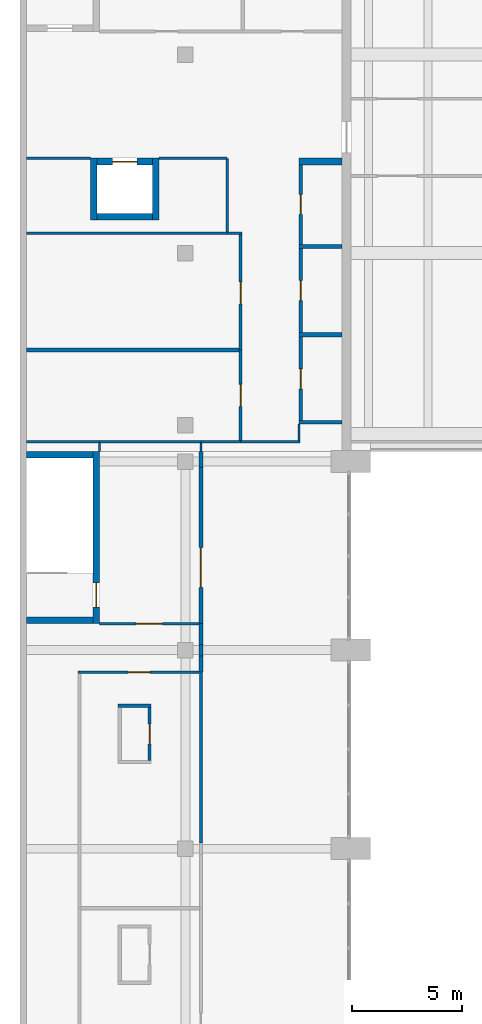
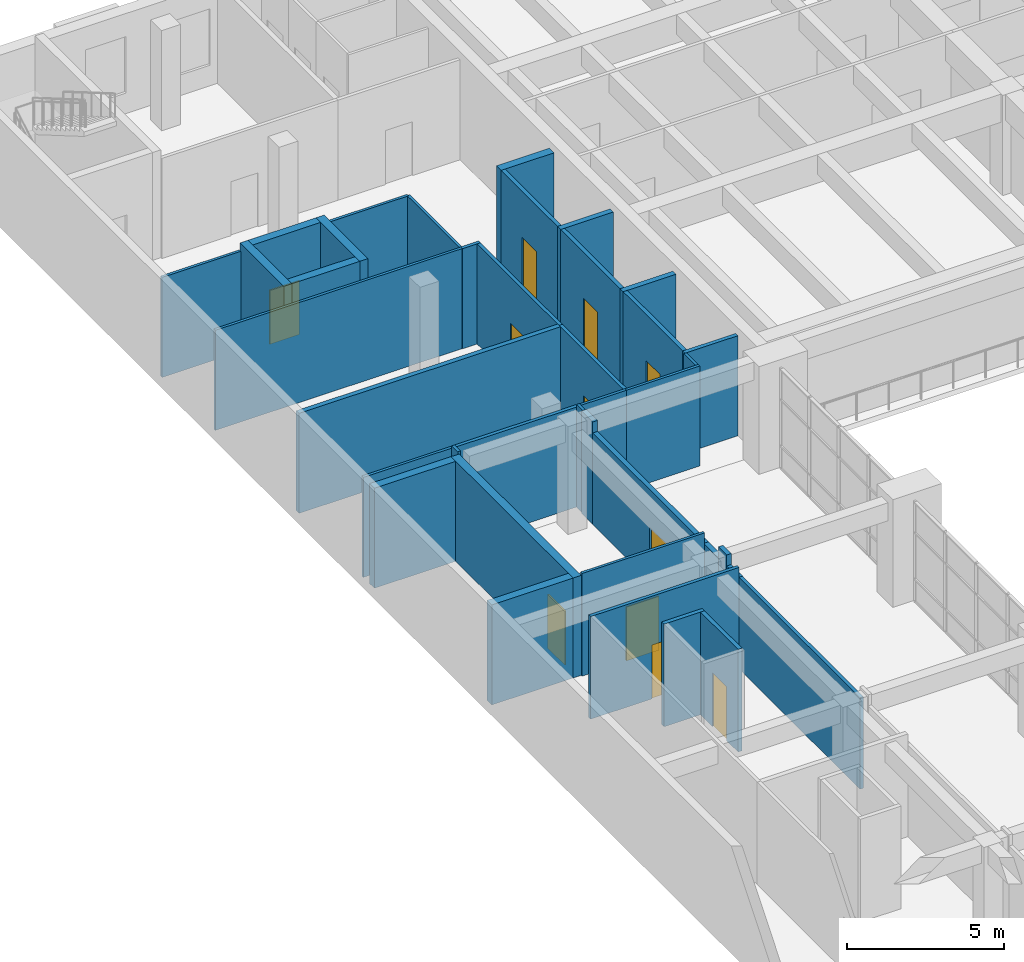
# One storey, part 31 of 45: 39 walls, 11 doors, 11 openings.
"""IFC4 building model written with IfcOpenShell, lengths in metres."""

from ifc_helpers import new_model, si_unit, direction, frame, frame_2d, origin, place, context, subcontext, project, spatial, rectangle, extrude, material, layer, layer_set, type_object, element, fill, save


model = new_model("IFC4")

# Units and contexts
model_context = context("Model", 3, precision=1e-05, world=origin(), true_north=direction((0.0, 1.0)))
body_context = subcontext(model_context, "Body", "Model", "MODEL_VIEW")
ifc_project = project(units=[si_unit("LENGTHUNIT", "METRE"), si_unit("AREAUNIT", "SQUARE_METRE"), si_unit("VOLUMEUNIT", "CUBIC_METRE"), si_unit("PLANEANGLEUNIT", "RADIAN"), si_unit("MASSUNIT", "GRAM", prefix="KILO")], contexts=[model_context])

# Site, building, storey
site_placement = place(None, origin())
site = spatial("IfcSite", under=ifc_project, at=site_placement, CompositionType="ELEMENT")
building_placement = place(site_placement, origin())
building = spatial("IfcBuilding", under=site, at=building_placement, Name="Elmora Arch Market Hall", CompositionType="ELEMENT")
storey_placement = place(building_placement, frame((0.0, 0.0, 6.0)))
storey = spatial("IfcBuildingStorey", under=building, at=storey_placement, Name="L01", CompositionType="ELEMENT", Elevation=6.0)

# Wall
ifc_material_1 = material(Name="Blockwork", Category="masonry")
ifc_layer_1 = layer(ifc_material_1, 0.14990234375)
ifc_layer_set_1 = layer_set([ifc_layer_1], Name="Blockwork")
wall_type_1 = type_object("IfcWallType", Name="Blockwork partition 150 EI 120", PredefinedType="PARTITIONING", material=ifc_layer_set_1)
wall_1_placement = place(storey_placement, frame((4.449951171875, 87.47509765625, 0.0), z_axis=(0.0, 0.0, 1.0), x_axis=(1.0, 0.0, 0.0)))
element("IfcWall", 1, at=wall_1_placement, inside=storey, type_object=wall_type_1, Name="Riser wall L01 10", PredefinedType="PARTITIONING", context=body_context, shape_type="SweptSolid", body=[
    extrude(rectangle(XDim=1.5, YDim=0.14990234375, at=frame_2d((0.75, 0.0))), origin(), (0.0, 0.0, 1.0), 4.0),
])

# Wall, opening, door
wall_2_placement = place(storey_placement, frame((5.875, 85.0, 0.0), z_axis=(0.0, 0.0, 1.0), x_axis=(0.0, 1.0, 0.0)))
wall_2 = element("IfcWall", 2, at=wall_2_placement, inside=storey, type_object=wall_type_1, Name="Riser wall L01 13", PredefinedType="PARTITIONING", context=body_context, shape_type="SweptSolid", body=[
    extrude(rectangle(XDim=2.39990234375, YDim=0.14990234375, at=frame_2d((1.199951171875, 0.0))), origin(), (0.0, 0.0, 1.0), 4.0),
])
opening_1_placement = place(wall_2_placement, frame((0.75, 0.0, 0.0)))
opening_1 = element("IfcOpeningElement", 3, at=opening_1_placement, cuts=wall_2, Name="Opening D-L01-034", PredefinedType="OPENING", context=body_context, shape_type="SweptSolid", body=[
    extrude(rectangle(XDim=0.89990234375, YDim=2.10009765625, at=frame_2d((0.449951171875, 1.050048828125))), frame((0.0, 0.0849609375, 0.0), z_axis=(0.0, -1.0, 0.0), x_axis=(1.0, 0.0, 0.0)), (0.0, 0.0, 1.0), 0.169921875),
])
ifc_material_2 = material(Name="Steel ASTM A653 galvanised", Category="steel")
door_type_1 = type_object("IfcDoorType", Name="Door 900 x 2100 FD90", OperationType="SINGLE_SWING_LEFT", PredefinedType="DOOR", material=ifc_material_2)
door_1_placement = place(opening_1_placement, origin())
door_1 = element("IfcDoor", 4, at=door_1_placement, inside=storey, type_object=door_type_1, Name="Riser access door D-L01-034", OperationType="SINGLE_SWING_LEFT", OverallHeight=2.10009765625, OverallWidth=0.89990234375, PredefinedType="DOOR", context=body_context, shape_type="SweptSolid", body=[
    extrude(rectangle(XDim=0.89990234375, YDim=2.10009765625, at=frame_2d((0.449951171875, 1.050048828125))), frame((0.0, 0.02490234375, 0.0), z_axis=(0.0, -1.0, 0.0), x_axis=(1.0, 0.0, 0.0)), (0.0, 0.0, 1.0), 0.050048828125),
])
fill(opening_1, door_1)

# Wall
wall_3_placement = place(storey_placement, frame((12.64990234375, 100.324951171875, 0.0), z_axis=(0.0, 0.0, 1.0), x_axis=(1.0, 0.0, 0.0)))
element("IfcWall", 5, at=wall_3_placement, inside=storey, type_object=wall_type_1, Name="Riser wall L01 15", PredefinedType="PARTITIONING", context=body_context, shape_type="SweptSolid", body=[
    extrude(rectangle(XDim=1.9501953125, YDim=0.14990234375, at=frame_2d((0.97509765625, 0.0))), origin(), (0.0, 0.0, 1.0), 3.89990234375),
])

# Wall, opening, door
wall_4_placement = place(storey_placement, frame((12.72509765625, 100.39990234375, 0.0), z_axis=(0.0, 0.0, 1.0), x_axis=(0.0, 1.0, 0.0)))
wall_4 = element("IfcWall", 6, at=wall_4_placement, inside=storey, type_object=wall_type_1, Name="Riser wall L01 16", PredefinedType="PARTITIONING", context=body_context, shape_type="SweptSolid", body=[
    extrude(rectangle(XDim=3.800048828125, YDim=0.14990234375, at=frame_2d((1.89990234375, 0.0))), origin(), (0.0, 0.0, 1.0), 3.89990234375),
])
opening_2_placement = place(wall_4_placement, frame((1.449951171875, 0.0, 0.0)))
opening_2 = element("IfcOpeningElement", 7, at=opening_2_placement, cuts=wall_4, Name="Opening D-L01-042", PredefinedType="OPENING", context=body_context, shape_type="SweptSolid", body=[
    extrude(rectangle(XDim=0.89990234375, YDim=2.10009765625, at=frame_2d((0.449951171875, 1.050048828125))), frame((0.0, 0.0849609375, 0.0), z_axis=(0.0, -1.0, 0.0), x_axis=(1.0, 0.0, 0.0)), (0.0, 0.0, 1.0), 0.169921875),
])
door_2_placement = place(opening_2_placement, frame((0.89990234375, 0.0, 0.0), z_axis=(0.0, 0.0, 1.0), x_axis=(-1.0, 0.0, 0.0)))
door_2 = element("IfcDoor", 8, at=door_2_placement, inside=storey, type_object=door_type_1, Name="Riser access door D-L01-042", OperationType="SINGLE_SWING_RIGHT", OverallHeight=2.10009765625, OverallWidth=0.89990234375, PredefinedType="DOOR", context=body_context, shape_type="SweptSolid", body=[
    extrude(rectangle(XDim=0.89990234375, YDim=2.10009765625, at=frame_2d((0.449951171875, 1.050048828125))), frame((0.0, 0.02490234375, 0.0), z_axis=(0.0, -1.0, 0.0), x_axis=(1.0, 0.0, 0.0)), (0.0, 0.0, 1.0), 0.050048828125),
])
fill(opening_2, door_2)

wall_5_placement = place(storey_placement, frame((12.72509765625, 104.39990234375, 0.0), z_axis=(0.0, 0.0, 1.0), x_axis=(0.0, 1.0, 0.0)))
wall_5 = element("IfcWall", 9, at=wall_5_placement, inside=storey, type_object=wall_type_1, Name="Riser wall L01 18", PredefinedType="PARTITIONING", context=body_context, shape_type="SweptSolid", body=[
    extrude(rectangle(XDim=3.800048828125, YDim=0.14990234375, at=frame_2d((1.89990234375, 0.0))), origin(), (0.0, 0.0, 1.0), 3.89990234375),
])
opening_3_placement = place(wall_5_placement, frame((1.449951171875, 0.0, 0.0)))
opening_3 = element("IfcOpeningElement", 10, at=opening_3_placement, cuts=wall_5, Name="Opening D-L01-046", PredefinedType="OPENING", context=body_context, shape_type="SweptSolid", body=[
    extrude(rectangle(XDim=0.89990234375, YDim=2.10009765625, at=frame_2d((0.449951171875, 1.050048828125))), frame((0.0, 0.0849609375, 0.0), z_axis=(0.0, -1.0, 0.0), x_axis=(1.0, 0.0, 0.0)), (0.0, 0.0, 1.0), 0.169921875),
])
door_3_placement = place(opening_3_placement, frame((0.89990234375, 0.0, 0.0), z_axis=(0.0, 0.0, 1.0), x_axis=(-1.0, 0.0, 0.0)))
door_3 = element("IfcDoor", 11, at=door_3_placement, inside=storey, type_object=door_type_1, Name="Riser access door D-L01-046", OperationType="SINGLE_SWING_RIGHT", OverallHeight=2.10009765625, OverallWidth=0.89990234375, PredefinedType="DOOR", context=body_context, shape_type="SweptSolid", body=[
    extrude(rectangle(XDim=0.89990234375, YDim=2.10009765625, at=frame_2d((0.449951171875, 1.050048828125))), frame((0.0, 0.02490234375, 0.0), z_axis=(0.0, -1.0, 0.0), x_axis=(1.0, 0.0, 0.0)), (0.0, 0.0, 1.0), 0.050048828125),
])
fill(opening_3, door_3)

wall_6_placement = place(storey_placement, frame((12.72509765625, 108.39990234375, 0.0), z_axis=(0.0, 0.0, 1.0), x_axis=(0.0, 1.0, 0.0)))
wall_6 = element("IfcWall", 12, at=wall_6_placement, inside=storey, type_object=wall_type_1, Name="Riser wall L01 20", PredefinedType="PARTITIONING", context=body_context, shape_type="SweptSolid", body=[
    extrude(rectangle(XDim=3.60009765625, YDim=0.14990234375, at=frame_2d((1.800048828125, 0.0))), origin(), (0.0, 0.0, 1.0), 3.89990234375),
])
opening_4_placement = place(wall_6_placement, frame((1.35009765625, 0.0, 0.0)))
opening_4 = element("IfcOpeningElement", 13, at=opening_4_placement, cuts=wall_6, Name="Opening D-L01-048", PredefinedType="OPENING", context=body_context, shape_type="SweptSolid", body=[
    extrude(rectangle(XDim=0.89990234375, YDim=2.10009765625, at=frame_2d((0.449951171875, 1.050048828125))), frame((0.0, 0.0849609375, 0.0), z_axis=(0.0, -1.0, 0.0), x_axis=(1.0, 0.0, 0.0)), (0.0, 0.0, 1.0), 0.169921875),
])
door_4_placement = place(opening_4_placement, frame((0.89990234375, 0.0, 0.0), z_axis=(0.0, 0.0, 1.0), x_axis=(-1.0, 0.0, 0.0)))
door_4 = element("IfcDoor", 14, at=door_4_placement, inside=storey, type_object=door_type_1, Name="Riser access door D-L01-048", OperationType="SINGLE_SWING_RIGHT", OverallHeight=2.10009765625, OverallWidth=0.89990234375, PredefinedType="DOOR", context=body_context, shape_type="SweptSolid", body=[
    extrude(rectangle(XDim=0.89990234375, YDim=2.10009765625, at=frame_2d((0.449951171875, 1.050048828125))), frame((0.0, 0.02490234375, 0.0), z_axis=(0.0, -1.0, 0.0), x_axis=(1.0, 0.0, 0.0)), (0.0, 0.0, 1.0), 0.050048828125),
])
fill(opening_4, door_4)

# Walls
ifc_material_3 = material(Name="Blockwork", Category="masonry")
ifc_layer_2 = layer(ifc_material_3, 0.199951171875)
ifc_layer_set_2 = layer_set([ifc_layer_2], Name="Blockwork")
wall_type_2 = type_object("IfcWallType", Name="Blockwork partition 200 EI 120", PredefinedType="PARTITIONING", material=ifc_layer_set_2)
for number, where, z_axis, x_axis, name in (
    (15, (12.64990234375, 104.300048828125, 0.0), (0.0, 0.0, 1.0), (1.0, 0.0, 0.0), "Riser wall L01 17"),
    (16, (12.64990234375, 108.300048828125, 0.0), (0.0, 0.0, 1.0), (1.0, 0.0, 0.0), "Riser wall L01 19"),
):
    element("IfcWall", number, at=place(storey_placement, frame(where, z_axis=z_axis, x_axis=x_axis)), inside=storey, type_object=wall_type_2, Name=name, PredefinedType="PARTITIONING", context=body_context, shape_type="SweptSolid", body=[
        extrude(rectangle(XDim=1.9501953125, YDim=0.199951171875, at=frame_2d((0.97509765625, 0.0))), origin(), (0.0, 0.0, 1.0), 3.89990234375),
    ])
ifc_material_4 = material(Name="Blockwork", Category="masonry")
ifc_layer_3 = layer(ifc_material_4, 0.300048828125)
ifc_layer_set_3 = layer_set([ifc_layer_3], Name="Blockwork")
wall_type_3 = type_object("IfcWallType", Name="Blockwork partition 300 EI 120", PredefinedType="PARTITIONING", material=ifc_layer_set_3)
wall_7_placement = place(storey_placement, frame((12.64990234375, 112.14990234375, 0.0), z_axis=(0.0, 0.0, 1.0), x_axis=(1.0, 0.0, 0.0)))
element("IfcWall", 17, at=wall_7_placement, inside=storey, type_object=wall_type_3, Name="Riser wall L01 21", PredefinedType="PARTITIONING", context=body_context, shape_type="SweptSolid", body=[
    extrude(rectangle(XDim=1.9501953125, YDim=0.300048828125, at=frame_2d((0.97509765625, 0.0))), origin(), (0.0, 0.0, 1.0), 3.89990234375),
])
ifc_material_5 = material(Name="Concrete C40/50", Category="concrete")
ifc_layer_4 = layer(ifc_material_5, 0.300048828125)
ifc_layer_set_4 = layer_set([ifc_layer_4], Name="Concrete C40/50")
wall_type_4 = type_object("IfcWallType", Name="Lift shaft wall 300", PredefinedType="SHEAR", material=ifc_layer_set_4)
for number, where, z_axis, x_axis, name in (
    (18, (3.35009765625, 109.5, 0.0), (0.0, 0.0, 1.0), (0.0, 1.0, 0.0), "Lift shaft wall PL1 W L01"),
    (19, (6.14990234375, 109.5, 0.0), (0.0, 0.0, 1.0), (0.0, 1.0, 0.0), "Lift shaft wall PL1 E L01"),
):
    element("IfcWall", number, at=place(storey_placement, frame(where, z_axis=z_axis, x_axis=x_axis)), inside=storey, type_object=wall_type_4, Name=name, PredefinedType="SHEAR", context=body_context, shape_type="SweptSolid", body=[
        extrude(rectangle(XDim=2.800048828125, YDim=0.300048828125, at=frame_2d((1.39990234375, 0.0))), origin(), (0.0, 0.0, 1.0), 4.199951171875),
    ])
wall_8_placement = place(storey_placement, frame((3.5, 109.64990234375, 0.0), z_axis=(0.0, 0.0, 1.0), x_axis=(1.0, 0.0, 0.0)))
element("IfcWall", 20, at=wall_8_placement, inside=storey, type_object=wall_type_4, Name="Lift shaft wall PL1 S L01", PredefinedType="SHEAR", context=body_context, shape_type="SweptSolid", body=[
    extrude(rectangle(XDim=2.5, YDim=0.300048828125, at=frame_2d((1.25, 0.0))), origin(), (0.0, 0.0, 1.0), 4.199951171875),
])

# Wall, opening, door
wall_9_placement = place(storey_placement, frame((3.5, 112.14990234375, 0.0), z_axis=(0.0, 0.0, 1.0), x_axis=(1.0, 0.0, 0.0)))
wall_9 = element("IfcWall", 21, at=wall_9_placement, inside=storey, type_object=wall_type_4, Name="Lift shaft wall PL1 N L01", PredefinedType="SHEAR", context=body_context, shape_type="SweptSolid", body=[
    extrude(rectangle(XDim=2.5, YDim=0.300048828125, at=frame_2d((1.25, 0.0))), origin(), (0.0, 0.0, 1.0), 4.199951171875),
])
opening_5_placement = place(wall_9_placement, frame((0.699951171875, 0.0, 0.0)))
opening_5 = element("IfcOpeningElement", 22, at=opening_5_placement, cuts=wall_9, Name="Opening LD-PL1-L01", PredefinedType="OPENING", context=body_context, shape_type="SweptSolid", body=[
    extrude(rectangle(XDim=1.10009765625, YDim=2.10009765625, at=frame_2d((0.550048828125, 1.050048828125))), frame((0.0, 0.159912109375, 0.0), z_axis=(0.0, -1.0, 0.0), x_axis=(1.0, 0.0, 0.0)), (0.0, 0.0, 1.0), 0.320068359375),
])
ifc_material_6 = material(Name="Stainless steel ASTM A240 Type 304", Category="steel")
door_type_2 = type_object("IfcDoorType", Name="Lift landing door 1100 x 2100 FD90", OperationType="SLIDING_TO_LEFT", PredefinedType="DOOR", material=ifc_material_6)
door_5_placement = place(opening_5_placement, origin())
door_5 = element("IfcDoor", 23, at=door_5_placement, inside=storey, type_object=door_type_2, Name="Landing door PL1 L01", OperationType="SLIDING_TO_LEFT", OverallHeight=2.10009765625, OverallWidth=1.10009765625, PredefinedType="DOOR", context=body_context, shape_type="SweptSolid", body=[
    extrude(rectangle(XDim=1.10009765625, YDim=2.10009765625, at=frame_2d((0.550048828125, 1.050048828125))), frame((0.0, 0.02490234375, 0.0), z_axis=(0.0, -1.0, 0.0), x_axis=(1.0, 0.0, 0.0)), (0.0, 0.0, 1.0), 0.050048828125),
])
fill(opening_5, door_5)

ifc_material_7 = material(Name="Gypsum board on metal studs")
ifc_layer_5 = layer(ifc_material_7, 0.10009765625)
ifc_layer_set_5 = layer_set([ifc_layer_5], Name="Gypsum board on metal studs")
wall_type_5 = type_object("IfcWallType", Name="Partition 100", PredefinedType="PARTITIONING", material=ifc_layer_set_5)
wall_10_placement = place(storey_placement, frame((3.60009765625, 91.199951171875, 0.0), z_axis=(0.0, 0.0, 1.0), x_axis=(1.0, 0.0, 0.0)))
wall_10 = element("IfcWall", 24, at=wall_10_placement, inside=storey, type_object=wall_type_5, Name="Partition PT-L01-029", PredefinedType="PARTITIONING", context=body_context, shape_type="SweptSolid", body=[
    extrude(rectangle(XDim=4.512451171875, YDim=0.10009765625, at=frame_2d((2.25634765625, 0.0))), origin(), (0.0, 0.0, 1.0), 4.0),
])
opening_6_placement = place(wall_10_placement, frame((1.64990234375, 0.0, 0.0)))
opening_6 = element("IfcOpeningElement", 25, at=opening_6_placement, cuts=wall_10, Name="Opening D-L01-037", PredefinedType="OPENING", context=body_context, shape_type="SweptSolid", body=[
    extrude(rectangle(XDim=1.199951171875, YDim=2.10009765625, at=frame_2d((0.60009765625, 1.050048828125))), frame((0.0, 0.06005859375, 0.0), z_axis=(0.0, -1.0, 0.0), x_axis=(1.0, 0.0, 0.0)), (0.0, 0.0, 1.0), 0.1201171875),
])
ifc_material_8 = material(Name="Timber door set", Category="wood")
door_type_3 = type_object("IfcDoorType", Name="Door 1200 x 2100", OperationType="SINGLE_SWING_LEFT", PredefinedType="DOOR", material=ifc_material_8)
door_6_placement = place(opening_6_placement, origin())
door_6 = element("IfcDoor", 26, at=door_6_placement, inside=storey, type_object=door_type_3, Name="D-L01-037", OperationType="SINGLE_SWING_LEFT", OverallHeight=2.10009765625, OverallWidth=1.199951171875, PredefinedType="DOOR", context=body_context, shape_type="SweptSolid", body=[
    extrude(rectangle(XDim=1.199951171875, YDim=2.10009765625, at=frame_2d((0.60009765625, 1.050048828125))), frame((0.0, 0.02490234375, 0.0), z_axis=(0.0, -1.0, 0.0), x_axis=(1.0, 0.0, 0.0)), (0.0, 0.0, 1.0), 0.050048828125),
])
fill(opening_6, door_6)

# Walls
wall_11_placement = place(storey_placement, frame((0.300048828125, 99.449951171875, 0.0), z_axis=(0.0, 0.0, 1.0), x_axis=(1.0, 0.0, 0.0)))
element("IfcWall", 27, at=wall_11_placement, inside=storey, type_object=wall_type_5, Name="Partition PT-L01-032", PredefinedType="PARTITIONING", context=body_context, shape_type="SweptSolid", body=[
    extrude(rectangle(XDim=3.300048828125, YDim=0.10009765625, at=frame_2d((1.64990234375, 0.0))), origin(), (0.0, 0.0, 1.0), 3.89990234375),
])
wall_12_placement = place(storey_placement, frame((8.199951171875, 99.449951171875, 0.0), z_axis=(0.0, 0.0, 1.0), x_axis=(1.0, 0.0, 0.0)))
element("IfcWall", 28, at=wall_12_placement, inside=storey, type_object=wall_type_5, Name="Partition PT-L01-034", PredefinedType="PARTITIONING", context=body_context, shape_type="SweptSolid", body=[
    extrude(rectangle(XDim=1.800048828125, YDim=0.10009765625, at=frame_2d((0.89990234375, 0.0))), origin(), (0.0, 0.0, 1.0), 3.89990234375),
])
wall_13_placement = place(storey_placement, frame((10.0, 99.449951171875, 0.0), z_axis=(0.0, 0.0, 1.0), x_axis=(1.0, 0.0, 0.0)))
element("IfcWall", 29, at=wall_13_placement, inside=storey, type_object=wall_type_5, Name="Partition PT-L01-035", PredefinedType="PARTITIONING", context=body_context, shape_type="SweptSolid", body=[
    extrude(rectangle(XDim=2.699951171875, YDim=0.10009765625, at=frame_2d((1.35009765625, 0.0))), origin(), (0.0, 0.0, 1.0), 3.89990234375),
])
wall_14_placement = place(storey_placement, frame((0.300048828125, 108.89990234375, 0.0), z_axis=(0.0, 0.0, 1.0), x_axis=(1.0, 0.0, 0.0)))
element("IfcWall", 30, at=wall_14_placement, inside=storey, type_object=wall_type_5, Name="Partition PT-L01-044", PredefinedType="PARTITIONING", context=body_context, shape_type="SweptSolid", body=[
    extrude(rectangle(XDim=9.099853515625, YDim=0.10009765625, at=frame_2d((4.5498046875, 0.0))), origin(), (0.0, 0.0, 1.0), 3.89990234375),
])
wall_15_placement = place(storey_placement, frame((0.300048828125, 112.300048828125, 0.0), z_axis=(0.0, 0.0, 1.0), x_axis=(1.0, 0.0, 0.0)))
element("IfcWall", 31, at=wall_15_placement, inside=storey, type_object=wall_type_5, Name="Partition PT-L01-050", PredefinedType="PARTITIONING", context=body_context, shape_type="SweptSolid", body=[
    extrude(rectangle(XDim=2.89990234375, YDim=0.10009765625, at=frame_2d((1.449951171875, 0.0))), origin(), (0.0, 0.0, 1.0), 3.89990234375),
])
wall_16_placement = place(storey_placement, frame((6.300048828125, 112.300048828125, 0.0), z_axis=(0.0, 0.0, 1.0), x_axis=(1.0, 0.0, 0.0)))
element("IfcWall", 32, at=wall_16_placement, inside=storey, type_object=wall_type_5, Name="Partition PT-L01-051", PredefinedType="PARTITIONING", context=body_context, shape_type="SweptSolid", body=[
    extrude(rectangle(XDim=3.08984375, YDim=0.10009765625, at=frame_2d((1.544921875, 0.0))), origin(), (0.0, 0.0, 1.0), 3.89990234375),
])
for number, where, z_axis, x_axis, name in (
    (33, (3.60009765625, 99.0, 0.0), (0.0, 0.0, 1.0), (0.0, 1.0, 0.0), "Partition PT-L01-090"),
    (34, (8.199951171875, 99.0, 0.0), (0.0, 0.0, 1.0), (0.0, 1.0, 0.0), "Partition PT-L01-106"),
):
    element("IfcWall", number, at=place(storey_placement, frame(where, z_axis=z_axis, x_axis=x_axis)), inside=storey, type_object=wall_type_5, Name=name, PredefinedType="PARTITIONING", context=body_context, shape_type="SweptSolid", body=[
        extrude(rectangle(XDim=0.387451171875, YDim=0.10009765625, at=frame_2d((0.19384765625, 0.0))), origin(), (0.0, 0.0, 1.0), 4.0),
    ])
wall_17_placement = place(storey_placement, frame((9.39990234375, 108.96240234375, 0.0), z_axis=(0.0, 0.0, 1.0), x_axis=(0.0, 1.0, 0.0)))
element("IfcWall", 35, at=wall_17_placement, inside=storey, type_object=wall_type_5, Name="Partition PT-L01-107", PredefinedType="PARTITIONING", context=body_context, shape_type="SweptSolid", body=[
    extrude(rectangle(XDim=3.32763671875, YDim=0.10009765625, at=frame_2d((1.663818359375, 0.0))), origin(), (0.0, 0.0, 1.0), 3.89990234375),
])
wall_18_placement = place(storey_placement, frame((12.64990234375, 99.5, 0.0), z_axis=(0.0, 0.0, 1.0), x_axis=(0.0, 1.0, 0.0)))
element("IfcWall", 36, at=wall_18_placement, inside=storey, type_object=wall_type_5, Name="Partition PT-L01-114", PredefinedType="PARTITIONING", context=body_context, shape_type="SweptSolid", body=[
    extrude(rectangle(XDim=0.75, YDim=0.10009765625, at=frame_2d((0.375, 0.0))), origin(), (0.0, 0.0, 1.0), 3.89990234375),
])

# Wall, opening, door
ifc_material_9 = material(Name="Gypsum board on metal studs")
ifc_layer_6 = layer(ifc_material_9, 0.125)
ifc_layer_set_6 = layer_set([ifc_layer_6], Name="Gypsum board on metal studs")
wall_type_6 = type_object("IfcWallType", Name="Partition 125 EI 60", PredefinedType="PARTITIONING", material=ifc_layer_set_6)
wall_19_placement = place(storey_placement, frame((2.637451171875, 89.0, 0.0), z_axis=(0.0, 0.0, 1.0), x_axis=(1.0, 0.0, 0.0)))
wall_19 = element("IfcWall", 37, at=wall_19_placement, inside=storey, type_object=wall_type_6, Name="Partition PT-L01-026", PredefinedType="PARTITIONING", context=body_context, shape_type="SweptSolid", body=[
    extrude(rectangle(XDim=5.47509765625, YDim=0.125, at=frame_2d((2.737548828125, 0.0))), origin(), (0.0, 0.0, 1.0), 4.0),
])
opening_7_placement = place(wall_19_placement, frame((2.262451171875, 0.0, 0.0)))
opening_7 = element("IfcOpeningElement", 38, at=opening_7_placement, cuts=wall_19, Name="Opening D-L01-036", PredefinedType="OPENING", context=body_context, shape_type="SweptSolid", body=[
    extrude(rectangle(XDim=1.0, YDim=2.10009765625, at=frame_2d((0.5, 1.050048828125))), frame((0.0, 0.072509765625, 0.0), z_axis=(0.0, -1.0, 0.0), x_axis=(1.0, 0.0, 0.0)), (0.0, 0.0, 1.0), 0.14501953125),
])
ifc_material_10 = material(Name="Steel ASTM A653 galvanised", Category="steel")
door_type_4 = type_object("IfcDoorType", Name="Door 1000 x 2100 FD45", OperationType="SINGLE_SWING_LEFT", PredefinedType="DOOR", material=ifc_material_10)
door_7_placement = place(opening_7_placement, frame((1.0, 0.0, 0.0), z_axis=(0.0, 0.0, 1.0), x_axis=(-1.0, 0.0, 0.0)))
door_7 = element("IfcDoor", 39, at=door_7_placement, inside=storey, type_object=door_type_4, Name="D-L01-036", OperationType="SINGLE_SWING_RIGHT", OverallHeight=2.10009765625, OverallWidth=1.0, PredefinedType="DOOR", context=body_context, shape_type="SweptSolid", body=[
    extrude(rectangle(XDim=1.0, YDim=2.10009765625, at=frame_2d((0.5, 1.050048828125))), frame((0.0, 0.02490234375, 0.0), z_axis=(0.0, -1.0, 0.0), x_axis=(1.0, 0.0, 0.0)), (0.0, 0.0, 1.0), 0.050048828125),
])
fill(opening_7, door_7)

# Walls
wall_20_placement = place(storey_placement, frame((3.60009765625, 99.449951171875, 0.0), z_axis=(0.0, 0.0, 1.0), x_axis=(1.0, 0.0, 0.0)))
element("IfcWall", 40, at=wall_20_placement, inside=storey, type_object=wall_type_6, Name="Partition PT-L01-033", PredefinedType="PARTITIONING", context=body_context, shape_type="SweptSolid", body=[
    extrude(rectangle(XDim=4.599853515625, YDim=0.125, at=frame_2d((2.2998046875, 0.0))), origin(), (0.0, 0.0, 1.0), 3.89990234375),
])
wall_21_placement = place(storey_placement, frame((9.39990234375, 108.89990234375, 0.0), z_axis=(0.0, 0.0, 1.0), x_axis=(1.0, 0.0, 0.0)))
element("IfcWall", 41, at=wall_21_placement, inside=storey, type_object=wall_type_6, Name="Partition PT-L01-045", PredefinedType="PARTITIONING", context=body_context, shape_type="SweptSolid", body=[
    extrude(rectangle(XDim=0.66259765625, YDim=0.125, at=frame_2d((0.331298828125, 0.0))), origin(), (0.0, 0.0, 1.0), 3.89990234375),
])

# Wall, opening, door
wall_22_placement = place(storey_placement, frame((10.0, 99.5, 0.0), z_axis=(0.0, 0.0, 1.0), x_axis=(0.0, 1.0, 0.0)))
wall_22 = element("IfcWall", 42, at=wall_22_placement, inside=storey, type_object=wall_type_6, Name="Partition PT-L01-108", PredefinedType="PARTITIONING", context=body_context, shape_type="SweptSolid", body=[
    extrude(rectangle(XDim=4.10009765625, YDim=0.125, at=frame_2d((2.050048828125, 0.0))), origin(), (0.0, 0.0, 1.0), 3.89990234375),
])
opening_8_placement = place(wall_22_placement, frame((1.550048828125, 0.0, 0.0)))
opening_8 = element("IfcOpeningElement", 43, at=opening_8_placement, cuts=wall_22, Name="Opening D-L01-040", PredefinedType="OPENING", context=body_context, shape_type="SweptSolid", body=[
    extrude(rectangle(XDim=1.0, YDim=2.10009765625, at=frame_2d((0.5, 1.050048828125))), frame((0.0, 0.072509765625, 0.0), z_axis=(0.0, -1.0, 0.0), x_axis=(1.0, 0.0, 0.0)), (0.0, 0.0, 1.0), 0.14501953125),
])
door_8_placement = place(opening_8_placement, origin())
door_8 = element("IfcDoor", 44, at=door_8_placement, inside=storey, type_object=door_type_4, Name="D-L01-040", OperationType="SINGLE_SWING_RIGHT", OverallHeight=2.10009765625, OverallWidth=1.0, PredefinedType="DOOR", context=body_context, shape_type="SweptSolid", body=[
    extrude(rectangle(XDim=1.0, YDim=2.10009765625, at=frame_2d((0.5, 1.050048828125))), frame((0.0, 0.02490234375, 0.0), z_axis=(0.0, -1.0, 0.0), x_axis=(1.0, 0.0, 0.0)), (0.0, 0.0, 1.0), 0.050048828125),
])
fill(opening_8, door_8)

wall_23_placement = place(storey_placement, frame((10.0, 103.60009765625, 0.0), z_axis=(0.0, 0.0, 1.0), x_axis=(0.0, 1.0, 0.0)))
wall_23 = element("IfcWall", 45, at=wall_23_placement, inside=storey, type_object=wall_type_6, Name="Partition PT-L01-109", PredefinedType="PARTITIONING", context=body_context, shape_type="SweptSolid", body=[
    extrude(rectangle(XDim=5.2373046875, YDim=0.125, at=frame_2d((2.61865234375, 0.0))), origin(), (0.0, 0.0, 1.0), 3.89990234375),
])
opening_9_placement = place(wall_23_placement, frame((2.10009765625, 0.0, 0.0)))
opening_9 = element("IfcOpeningElement", 46, at=opening_9_placement, cuts=wall_23, Name="Opening D-L01-044", PredefinedType="OPENING", context=body_context, shape_type="SweptSolid", body=[
    extrude(rectangle(XDim=1.0, YDim=2.10009765625, at=frame_2d((0.5, 1.050048828125))), frame((0.0, 0.072509765625, 0.0), z_axis=(0.0, -1.0, 0.0), x_axis=(1.0, 0.0, 0.0)), (0.0, 0.0, 1.0), 0.14501953125),
])
door_9_placement = place(opening_9_placement, origin())
door_9 = element("IfcDoor", 47, at=door_9_placement, inside=storey, type_object=door_type_4, Name="D-L01-044", OperationType="SINGLE_SWING_LEFT", OverallHeight=2.10009765625, OverallWidth=1.0, PredefinedType="DOOR", context=body_context, shape_type="SweptSolid", body=[
    extrude(rectangle(XDim=1.0, YDim=2.10009765625, at=frame_2d((0.5, 1.050048828125))), frame((0.0, 0.02490234375, 0.0), z_axis=(0.0, -1.0, 0.0), x_axis=(1.0, 0.0, 0.0)), (0.0, 0.0, 1.0), 0.050048828125),
])
fill(opening_9, door_9)

# Walls
wall_24_placement = place(storey_placement, frame((8.199951171875, 81.26318359375, 0.0), z_axis=(0.0, 0.0, 1.0), x_axis=(0.0, 1.0, 0.0)))
element("IfcWall", 48, at=wall_24_placement, inside=storey, type_object=wall_type_6, Name="Partition PT-L01-103.3", PredefinedType="PARTITIONING", context=body_context, shape_type="SweptSolid", body=[
    extrude(rectangle(XDim=7.73681640625, YDim=0.125, at=frame_2d((3.868408203125, 0.0))), origin(), (0.0, 0.0, 1.0), 3.567138671875),
])
ifc_material_11 = material(Name="Gypsum board on metal studs")
ifc_layer_7 = layer(ifc_material_11, 0.175048828125)
ifc_layer_set_7 = layer_set([ifc_layer_7], Name="Gypsum board on metal studs")
wall_type_7 = type_object("IfcWallType", Name="Partition 175 EI 60", PredefinedType="PARTITIONING", material=ifc_layer_set_7)
wall_25_placement = place(storey_placement, frame((0.300048828125, 103.60009765625, 0.0), z_axis=(0.0, 0.0, 1.0), x_axis=(1.0, 0.0, 0.0)))
element("IfcWall", 49, at=wall_25_placement, inside=storey, type_object=wall_type_7, Name="Partition PT-L01-042", PredefinedType="PARTITIONING", context=body_context, shape_type="SweptSolid", body=[
    extrude(rectangle(XDim=9.637451171875, YDim=0.175048828125, at=frame_2d((4.81884765625, 0.0))), origin(), (0.0, 0.0, 1.0), 3.89990234375),
])
wall_26_placement = place(storey_placement, frame((8.199951171875, 89.0, 0.0), z_axis=(0.0, 0.0, 1.0), x_axis=(0.0, 1.0, 0.0)))
element("IfcWall", 50, at=wall_26_placement, inside=storey, type_object=wall_type_7, Name="Partition PT-L01-104", PredefinedType="PARTITIONING", context=body_context, shape_type="SweptSolid", body=[
    extrude(rectangle(XDim=0.73681640625, YDim=0.175048828125, at=frame_2d((0.368408203125, 0.0))), origin(), (0.0, 0.0, 1.0), 3.567138671875),
])

# Wall, opening, door
wall_27_placement = place(storey_placement, frame((8.199951171875, 91.199951171875, 0.0), z_axis=(0.0, 0.0, 1.0), x_axis=(0.0, 1.0, 0.0)))
wall_27 = element("IfcWall", 51, at=wall_27_placement, inside=storey, type_object=wall_type_7, Name="Partition PT-L01-105", PredefinedType="PARTITIONING", context=body_context, shape_type="SweptSolid", body=[
    extrude(rectangle(XDim=7.0869140625, YDim=0.175048828125, at=frame_2d((3.54345703125, 0.0))), origin(), (0.0, 0.0, 1.0), 3.567138671875),
])
opening_10_placement = place(wall_27_placement, frame((1.64990234375, 0.0, 0.0)))
opening_10 = element("IfcOpeningElement", 52, at=opening_10_placement, cuts=wall_27, Name="Opening D-L01-038", PredefinedType="OPENING", context=body_context, shape_type="SweptSolid", body=[
    extrude(rectangle(XDim=1.800048828125, YDim=2.10009765625, at=frame_2d((0.89990234375, 1.050048828125))), frame((0.0, 0.097412109375, 0.0), z_axis=(0.0, -1.0, 0.0), x_axis=(1.0, 0.0, 0.0)), (0.0, 0.0, 1.0), 0.195068359375),
])
ifc_material_12 = material(Name="Steel ASTM A653 galvanised", Category="steel")
door_type_5 = type_object("IfcDoorType", Name="Double door 1800 x 2100", OperationType="DOUBLE_DOOR_SINGLE_SWING", PredefinedType="DOOR", material=ifc_material_12)
door_10_placement = place(opening_10_placement, origin())
door_10 = element("IfcDoor", 53, at=door_10_placement, inside=storey, type_object=door_type_5, Name="D-L01-038", OperationType="DOUBLE_DOOR_SINGLE_SWING", OverallHeight=2.10009765625, OverallWidth=1.800048828125, PredefinedType="DOOR", context=body_context, shape_type="SweptSolid", body=[
    extrude(rectangle(XDim=1.800048828125, YDim=2.10009765625, at=frame_2d((0.89990234375, 1.050048828125))), frame((0.0, 0.02490234375, 0.0), z_axis=(0.0, -1.0, 0.0), x_axis=(1.0, 0.0, 0.0)), (0.0, 0.0, 1.0), 0.050048828125),
])
fill(opening_10, door_10)

# Walls
wall_28_placement = place(storey_placement, frame((8.199951171875, 89.73681640625, 0.0), z_axis=(0.0, 0.0, 1.0), x_axis=(0.0, 1.0, 0.0)))
element("IfcWall", 54, at=wall_28_placement, inside=storey, type_object=wall_type_7, Name="Partition PT-L01-104.2", PredefinedType="PARTITIONING", context=body_context, shape_type="SweptSolid", body=[
    extrude(rectangle(XDim=0.5263671875, YDim=0.175048828125, at=frame_2d((0.26318359375, 0.0))), origin(), (0.0, 0.0, 1.0), 4.0),
])
wall_29_placement = place(storey_placement, frame((8.199951171875, 90.26318359375, 0.0), z_axis=(0.0, 0.0, 1.0), x_axis=(0.0, 1.0, 0.0)))
element("IfcWall", 55, at=wall_29_placement, inside=storey, type_object=wall_type_7, Name="Partition PT-L01-104.3", PredefinedType="PARTITIONING", context=body_context, shape_type="SweptSolid", body=[
    extrude(rectangle(XDim=0.936767578125, YDim=0.175048828125, at=frame_2d((0.46826171875, 0.0))), origin(), (0.0, 0.0, 1.0), 3.567138671875),
])
wall_30_placement = place(storey_placement, frame((8.199951171875, 98.286865234375, 0.0), z_axis=(0.0, 0.0, 1.0), x_axis=(0.0, 1.0, 0.0)))
element("IfcWall", 56, at=wall_30_placement, inside=storey, type_object=wall_type_7, Name="Partition PT-L01-105.2", PredefinedType="PARTITIONING", context=body_context, shape_type="SweptSolid", body=[
    extrude(rectangle(XDim=0.713134765625, YDim=0.175048828125, at=frame_2d((0.3564453125, 0.0))), origin(), (0.0, 0.0, 1.0), 4.0),
])

# Wall, opening, door
ifc_material_13 = material(Name="Concrete C40/50", Category="concrete")
ifc_layer_8 = layer(ifc_material_13, 0.300048828125)
ifc_layer_set_8 = layer_set([ifc_layer_8], Name="Concrete C40/50")
wall_type_8 = type_object("IfcWallType", Name="Stair wall 300", PredefinedType="SHEAR", material=ifc_layer_set_8)
wall_31_placement = place(storey_placement, frame((3.449951171875, 91.199951171875, 0.0), z_axis=(0.0, 0.0, 1.0), x_axis=(0.0, 1.0, 0.0)))
wall_31 = element("IfcWall", 57, at=wall_31_placement, inside=storey, type_object=wall_type_8, Name="Stair wall ST-WN E L01", PredefinedType="SHEAR", context=body_context, shape_type="SweptSolid", body=[
    extrude(rectangle(XDim=7.800048828125, YDim=0.300048828125, at=frame_2d((3.89990234375, 0.0))), origin(), (0.0, 0.0, 1.0), 3.89990234375),
])
opening_11_placement = place(wall_31_placement, frame((0.75, 0.0, 0.0)))
opening_11 = element("IfcOpeningElement", 58, at=opening_11_placement, cuts=wall_31, Name="Opening ST-WN-L01", PredefinedType="OPENING", context=body_context, shape_type="SweptSolid", body=[
    extrude(rectangle(XDim=1.10009765625, YDim=2.10009765625, at=frame_2d((0.550048828125, 1.050048828125))), frame((0.0, 0.159912109375, 0.0), z_axis=(0.0, -1.0, 0.0), x_axis=(1.0, 0.0, 0.0)), (0.0, 0.0, 1.0), 0.320068359375),
])
ifc_material_14 = material(Name="Steel ASTM A653 galvanised", Category="steel")
door_type_6 = type_object("IfcDoorType", Name="Stair door 1100 x 2100 FD90", OperationType="SINGLE_SWING_LEFT", PredefinedType="DOOR", material=ifc_material_14)
door_11_placement = place(opening_11_placement, frame((1.10009765625, 0.0, 0.0), z_axis=(0.0, 0.0, 1.0), x_axis=(-1.0, 0.0, 0.0)))
door_11 = element("IfcDoor", 59, at=door_11_placement, inside=storey, type_object=door_type_6, Name="Stair door ST-WN L01", OperationType="SINGLE_SWING_RIGHT", OverallHeight=2.10009765625, OverallWidth=1.10009765625, PredefinedType="DOOR", context=body_context, shape_type="SweptSolid", body=[
    extrude(rectangle(XDim=1.10009765625, YDim=2.10009765625, at=frame_2d((0.550048828125, 1.050048828125))), frame((0.0, 0.02490234375, 0.0), z_axis=(0.0, -1.0, 0.0), x_axis=(1.0, 0.0, 0.0)), (0.0, 0.0, 1.0), 0.050048828125),
])
fill(opening_11, door_11)

# Walls
for number, where, z_axis, x_axis, name in (
    (60, (0.300048828125, 98.85009765625, 0.0), (0.0, 0.0, 1.0), (1.0, 0.0, 0.0), "Stair wall ST-WN N L01"),
    (61, (0.300048828125, 91.35009765625, 0.0), (0.0, 0.0, 1.0), (1.0, 0.0, 0.0), "Stair wall ST-WN S L01"),
):
    element("IfcWall", number, at=place(storey_placement, frame(where, z_axis=z_axis, x_axis=x_axis)), inside=storey, type_object=wall_type_8, Name=name, PredefinedType="SHEAR", context=body_context, shape_type="SweptSolid", body=[
        extrude(rectangle(XDim=3.0, YDim=0.300048828125, at=frame_2d((1.5, 0.0))), origin(), (0.0, 0.0, 1.0), 3.89990234375),
    ])

save(model, "model.ifc")
